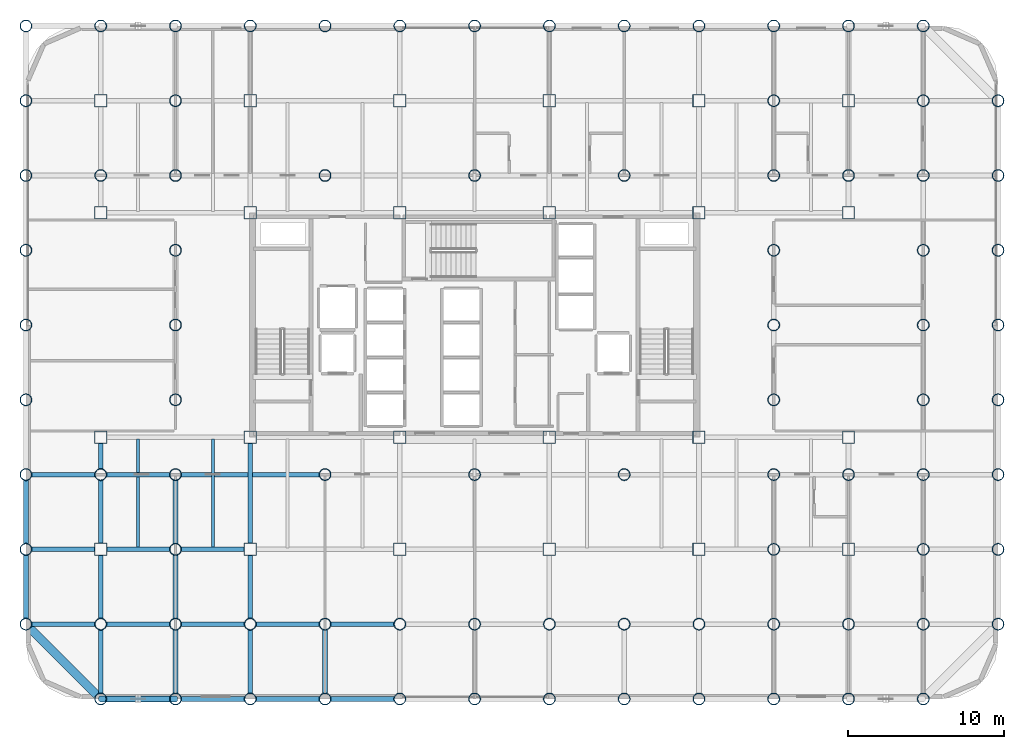
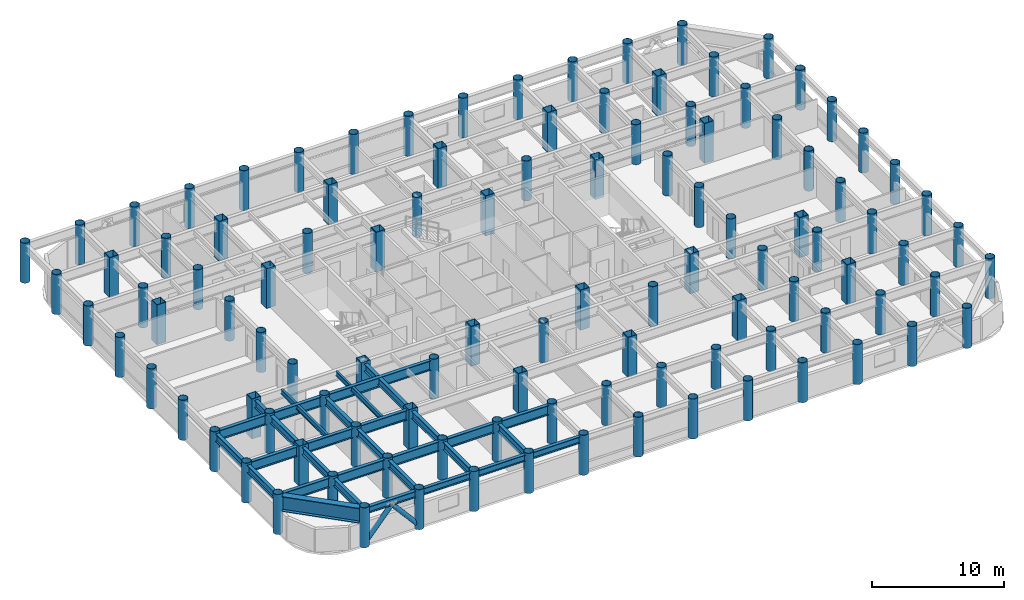
# One storey, part 1 of 19: 108 columns, 31 beams, 2 members.
"""IFC4 building model written with IfcOpenShell, lengths in metres."""

from ifc_helpers import new_model, si_unit, direction, frame, origin, origin_2d, place, context, subcontext, project, spatial, hollow_rectangle, hollow_circle, i_section, extrude, material, material_profile, profile_set, type_object, element, save


model = new_model("IFC4")

# Units and contexts
model_context = context("Model", 3, precision=1e-05, world=origin(), true_north=direction((0.0, 1.0)))
body_context = subcontext(model_context, "Body", "Model", "MODEL_VIEW")
ifc_project = project(units=[si_unit("LENGTHUNIT", "METRE"), si_unit("AREAUNIT", "SQUARE_METRE"), si_unit("VOLUMEUNIT", "CUBIC_METRE"), si_unit("PLANEANGLEUNIT", "RADIAN"), si_unit("MASSUNIT", "GRAM", prefix="KILO")], contexts=[model_context])

# Site, building, storey
site_placement = place(None, origin())
site = spatial("IfcSite", under=ifc_project, at=site_placement, CompositionType="ELEMENT")
building_placement = place(site_placement, origin())
building = spatial("IfcBuilding", under=site, at=building_placement, Name="Kallvorn Hotel Tower", CompositionType="ELEMENT")
storey_placement = place(building_placement, frame((0.0, 0.0, 63.300048828125)))
storey = spatial("IfcBuildingStorey", under=building, at=storey_placement, Name="L14", CompositionType="ELEMENT", Elevation=63.300048828125)

# Columns
ifc_material_1 = material(Name="Structural steel S355J2H", Category="steel")
ifc_material_profile_1 = material_profile(ifc_material_1, hollow_circle(Radius=0.381103515625, WallThickness=0.031982421875, at=origin_2d()), Name="CHS 762x32")
ifc_profile_set_1 = profile_set([ifc_material_profile_1], Name="Structural steel S355J2H")
column_type_1 = type_object("IfcColumnType", Name="COL_CHS_762", PredefinedType="COLUMN", material=ifc_profile_set_1)
for number, where, z_axis, x_axis, name in (
    (1, (-28.800048828125, -19.199951171875, 0.0), (0.0, 0.0, 1.0), (1.0, 0.0, 0.0), "L14 Exoskeleton Column EC01"),
    (2, (-28.800048828125, -14.39990234375, 0.0), (0.0, 0.0, 1.0), (1.0, 0.0, 0.0), "L14 Exoskeleton Column EC02"),
    (3, (-28.800048828125, -9.60009765625, 0.0), (0.0, 0.0, 1.0), (1.0, 0.0, 0.0), "L14 Exoskeleton Column EC03"),
    (4, (-28.800048828125, -4.800048828125, 0.0), (0.0, 0.0, 1.0), (1.0, 0.0, 0.0), "L14 Exoskeleton Column EC04"),
    (5, (-28.800048828125, 0.0, 0.0), (0.0, 0.0, 1.0), (1.0, 0.0, 0.0), "L14 Exoskeleton Column EC05"),
    (6, (-28.800048828125, 4.800048828125, 0.0), (0.0, 0.0, 1.0), (1.0, 0.0, 0.0), "L14 Exoskeleton Column EC06"),
    (7, (-28.800048828125, 9.60009765625, 0.0), (0.0, 0.0, 1.0), (1.0, 0.0, 0.0), "L14 Exoskeleton Column EC07"),
    (8, (-28.800048828125, 14.39990234375, 0.0), (0.0, 0.0, 1.0), (1.0, 0.0, 0.0), "L14 Exoskeleton Column EC08"),
    (9, (-28.800048828125, 19.199951171875, 0.0), (0.0, 0.0, 1.0), (1.0, 0.0, 0.0), "L14 Exoskeleton Column EC09"),
    (10, (-24.0, -24.0, 0.0), (0.0, 0.0, 1.0), (1.0, 0.0, 0.0), "L14 Exoskeleton Column EC10"),
    (11, (-24.0, -19.199951171875, 0.0), (0.0, 0.0, 1.0), (1.0, 0.0, 0.0), "L14 Exoskeleton Column EC11"),
    (12, (-24.0, -9.60009765625, 0.0), (0.0, 0.0, 1.0), (1.0, 0.0, 0.0), "L14 Exoskeleton Column EC12"),
    (13, (-24.0, 9.60009765625, 0.0), (0.0, 0.0, 1.0), (1.0, 0.0, 0.0), "L14 Exoskeleton Column EC13"),
    (14, (-24.0, 19.199951171875, 0.0), (0.0, 0.0, 1.0), (1.0, 0.0, 0.0), "L14 Exoskeleton Column EC14"),
    (15, (-19.199951171875, -24.0, 0.0), (0.0, 0.0, 1.0), (1.0, 0.0, 0.0), "L14 Exoskeleton Column EC15"),
    (16, (-19.199951171875, -19.199951171875, 0.0), (0.0, 0.0, 1.0), (1.0, 0.0, 0.0), "L14 Exoskeleton Column EC16"),
    (17, (-19.199951171875, -14.39990234375, 0.0), (0.0, 0.0, 1.0), (1.0, 0.0, 0.0), "L14 Exoskeleton Column EC17"),
    (18, (-19.199951171875, -9.60009765625, 0.0), (0.0, 0.0, 1.0), (1.0, 0.0, 0.0), "L14 Exoskeleton Column EC18"),
    (19, (-19.199951171875, -4.800048828125, 0.0), (0.0, 0.0, 1.0), (1.0, 0.0, 0.0), "L14 Exoskeleton Column EC19"),
    (20, (-19.199951171875, 0.0, 0.0), (0.0, 0.0, 1.0), (1.0, 0.0, 0.0), "L14 Exoskeleton Column EC20"),
    (21, (-19.199951171875, 4.800048828125, 0.0), (0.0, 0.0, 1.0), (1.0, 0.0, 0.0), "L14 Exoskeleton Column EC21"),
    (22, (-19.199951171875, 9.60009765625, 0.0), (0.0, 0.0, 1.0), (1.0, 0.0, 0.0), "L14 Exoskeleton Column EC22"),
    (23, (-19.199951171875, 14.39990234375, 0.0), (0.0, 0.0, 1.0), (1.0, 0.0, 0.0), "L14 Exoskeleton Column EC23"),
    (24, (-19.199951171875, 19.199951171875, 0.0), (0.0, 0.0, 1.0), (1.0, 0.0, 0.0), "L14 Exoskeleton Column EC24"),
    (25, (-14.39990234375, -24.0, 0.0), (0.0, 0.0, 1.0), (1.0, 0.0, 0.0), "L14 Exoskeleton Column EC25"),
    (26, (-14.39990234375, -19.199951171875, 0.0), (0.0, 0.0, 1.0), (1.0, 0.0, 0.0), "L14 Exoskeleton Column EC26"),
    (27, (-14.39990234375, 19.199951171875, 0.0), (0.0, 0.0, 1.0), (1.0, 0.0, 0.0), "L14 Exoskeleton Column EC27"),
    (28, (-9.60009765625, -24.0, 0.0), (0.0, 0.0, 1.0), (1.0, 0.0, 0.0), "L14 Exoskeleton Column EC28"),
    (29, (-9.60009765625, -19.199951171875, 0.0), (0.0, 0.0, 1.0), (1.0, 0.0, 0.0), "L14 Exoskeleton Column EC29"),
    (30, (-9.60009765625, -9.60009765625, 0.0), (0.0, 0.0, 1.0), (1.0, 0.0, 0.0), "L14 Exoskeleton Column EC30"),
    (31, (-9.60009765625, 9.60009765625, 0.0), (0.0, 0.0, 1.0), (1.0, 0.0, 0.0), "L14 Exoskeleton Column EC31"),
    (32, (-9.60009765625, 19.199951171875, 0.0), (0.0, 0.0, 1.0), (1.0, 0.0, 0.0), "L14 Exoskeleton Column EC32"),
    (33, (-4.800048828125, -24.0, 0.0), (0.0, 0.0, 1.0), (1.0, 0.0, 0.0), "L14 Exoskeleton Column EC33"),
    (34, (-4.800048828125, -19.199951171875, 0.0), (0.0, 0.0, 1.0), (1.0, 0.0, 0.0), "L14 Exoskeleton Column EC34"),
    (35, (-4.800048828125, 19.199951171875, 0.0), (0.0, 0.0, 1.0), (1.0, 0.0, 0.0), "L14 Exoskeleton Column EC35"),
    (36, (0.0, -24.0, 0.0), (0.0, 0.0, 1.0), (1.0, 0.0, 0.0), "L14 Exoskeleton Column EC36"),
    (37, (0.0, -19.199951171875, 0.0), (0.0, 0.0, 1.0), (1.0, 0.0, 0.0), "L14 Exoskeleton Column EC37"),
    (38, (0.0, -9.60009765625, 0.0), (0.0, 0.0, 1.0), (1.0, 0.0, 0.0), "L14 Exoskeleton Column EC38"),
    (39, (0.0, 9.60009765625, 0.0), (0.0, 0.0, 1.0), (1.0, 0.0, 0.0), "L14 Exoskeleton Column EC39"),
    (40, (0.0, 19.199951171875, 0.0), (0.0, 0.0, 1.0), (1.0, 0.0, 0.0), "L14 Exoskeleton Column EC40"),
    (41, (4.800048828125, -24.0, 0.0), (0.0, 0.0, 1.0), (1.0, 0.0, 0.0), "L14 Exoskeleton Column EC41"),
    (42, (4.800048828125, -19.199951171875, 0.0), (0.0, 0.0, 1.0), (1.0, 0.0, 0.0), "L14 Exoskeleton Column EC42"),
    (43, (4.800048828125, 19.199951171875, 0.0), (0.0, 0.0, 1.0), (1.0, 0.0, 0.0), "L14 Exoskeleton Column EC43"),
    (44, (9.60009765625, -24.0, 0.0), (0.0, 0.0, 1.0), (1.0, 0.0, 0.0), "L14 Exoskeleton Column EC44"),
    (45, (9.60009765625, -19.199951171875, 0.0), (0.0, 0.0, 1.0), (1.0, 0.0, 0.0), "L14 Exoskeleton Column EC45"),
    (46, (9.60009765625, -9.60009765625, 0.0), (0.0, 0.0, 1.0), (1.0, 0.0, 0.0), "L14 Exoskeleton Column EC46"),
    (47, (9.60009765625, 9.60009765625, 0.0), (0.0, 0.0, 1.0), (1.0, 0.0, 0.0), "L14 Exoskeleton Column EC47"),
    (48, (9.60009765625, 19.199951171875, 0.0), (0.0, 0.0, 1.0), (1.0, 0.0, 0.0), "L14 Exoskeleton Column EC48"),
    (49, (14.39990234375, -24.0, 0.0), (0.0, 0.0, 1.0), (1.0, 0.0, 0.0), "L14 Exoskeleton Column EC49"),
    (50, (14.39990234375, -19.199951171875, 0.0), (0.0, 0.0, 1.0), (1.0, 0.0, 0.0), "L14 Exoskeleton Column EC50"),
    (51, (14.39990234375, 19.199951171875, 0.0), (0.0, 0.0, 1.0), (1.0, 0.0, 0.0), "L14 Exoskeleton Column EC51"),
    (52, (19.199951171875, -24.0, 0.0), (0.0, 0.0, 1.0), (1.0, 0.0, 0.0), "L14 Exoskeleton Column EC52"),
    (53, (19.199951171875, -19.199951171875, 0.0), (0.0, 0.0, 1.0), (1.0, 0.0, 0.0), "L14 Exoskeleton Column EC53"),
    (54, (19.199951171875, -14.39990234375, 0.0), (0.0, 0.0, 1.0), (1.0, 0.0, 0.0), "L14 Exoskeleton Column EC54"),
    (55, (19.199951171875, -9.60009765625, 0.0), (0.0, 0.0, 1.0), (1.0, 0.0, 0.0), "L14 Exoskeleton Column EC55"),
    (56, (19.199951171875, -4.800048828125, 0.0), (0.0, 0.0, 1.0), (1.0, 0.0, 0.0), "L14 Exoskeleton Column EC56"),
    (57, (19.199951171875, 0.0, 0.0), (0.0, 0.0, 1.0), (1.0, 0.0, 0.0), "L14 Exoskeleton Column EC57"),
    (58, (19.199951171875, 4.800048828125, 0.0), (0.0, 0.0, 1.0), (1.0, 0.0, 0.0), "L14 Exoskeleton Column EC58"),
    (59, (19.199951171875, 9.60009765625, 0.0), (0.0, 0.0, 1.0), (1.0, 0.0, 0.0), "L14 Exoskeleton Column EC59"),
    (60, (19.199951171875, 14.39990234375, 0.0), (0.0, 0.0, 1.0), (1.0, 0.0, 0.0), "L14 Exoskeleton Column EC60"),
    (61, (19.199951171875, 19.199951171875, 0.0), (0.0, 0.0, 1.0), (1.0, 0.0, 0.0), "L14 Exoskeleton Column EC61"),
    (62, (24.0, -24.0, 0.0), (0.0, 0.0, 1.0), (1.0, 0.0, 0.0), "L14 Exoskeleton Column EC62"),
    (63, (24.0, -19.199951171875, 0.0), (0.0, 0.0, 1.0), (1.0, 0.0, 0.0), "L14 Exoskeleton Column EC63"),
    (64, (24.0, -9.60009765625, 0.0), (0.0, 0.0, 1.0), (1.0, 0.0, 0.0), "L14 Exoskeleton Column EC64"),
    (65, (24.0, 9.60009765625, 0.0), (0.0, 0.0, 1.0), (1.0, 0.0, 0.0), "L14 Exoskeleton Column EC65"),
    (66, (24.0, 19.199951171875, 0.0), (0.0, 0.0, 1.0), (1.0, 0.0, 0.0), "L14 Exoskeleton Column EC66"),
    (67, (28.800048828125, -24.0, 0.0), (0.0, 0.0, 1.0), (1.0, 0.0, 0.0), "L14 Exoskeleton Column EC67"),
    (68, (28.800048828125, -19.199951171875, 0.0), (0.0, 0.0, 1.0), (1.0, 0.0, 0.0), "L14 Exoskeleton Column EC68"),
    (69, (28.800048828125, -14.39990234375, 0.0), (0.0, 0.0, 1.0), (1.0, 0.0, 0.0), "L14 Exoskeleton Column EC69"),
    (70, (28.800048828125, -9.60009765625, 0.0), (0.0, 0.0, 1.0), (1.0, 0.0, 0.0), "L14 Exoskeleton Column EC70"),
    (71, (28.800048828125, -4.800048828125, 0.0), (0.0, 0.0, 1.0), (1.0, 0.0, 0.0), "L14 Exoskeleton Column EC71"),
    (72, (28.800048828125, 0.0, 0.0), (0.0, 0.0, 1.0), (1.0, 0.0, 0.0), "L14 Exoskeleton Column EC72"),
    (73, (28.800048828125, 4.800048828125, 0.0), (0.0, 0.0, 1.0), (1.0, 0.0, 0.0), "L14 Exoskeleton Column EC73"),
    (74, (28.800048828125, 9.60009765625, 0.0), (0.0, 0.0, 1.0), (1.0, 0.0, 0.0), "L14 Exoskeleton Column EC74"),
    (75, (28.800048828125, 14.39990234375, 0.0), (0.0, 0.0, 1.0), (1.0, 0.0, 0.0), "L14 Exoskeleton Column EC75"),
    (76, (28.800048828125, 19.199951171875, 0.0), (0.0, 0.0, 1.0), (1.0, 0.0, 0.0), "L14 Exoskeleton Column EC76"),
    (77, (33.60009765625, -19.199951171875, 0.0), (0.0, 0.0, 1.0), (1.0, 0.0, 0.0), "L14 Exoskeleton Column EC77"),
    (78, (33.60009765625, -14.39990234375, 0.0), (0.0, 0.0, 1.0), (1.0, 0.0, 0.0), "L14 Exoskeleton Column EC78"),
    (79, (33.60009765625, -9.60009765625, 0.0), (0.0, 0.0, 1.0), (1.0, 0.0, 0.0), "L14 Exoskeleton Column EC79"),
    (80, (33.60009765625, -4.800048828125, 0.0), (0.0, 0.0, 1.0), (1.0, 0.0, 0.0), "L14 Exoskeleton Column EC80"),
    (81, (33.60009765625, 0.0, 0.0), (0.0, 0.0, 1.0), (1.0, 0.0, 0.0), "L14 Exoskeleton Column EC81"),
    (82, (33.60009765625, 4.800048828125, 0.0), (0.0, 0.0, 1.0), (1.0, 0.0, 0.0), "L14 Exoskeleton Column EC82"),
    (83, (33.60009765625, 9.60009765625, 0.0), (0.0, 0.0, 1.0), (1.0, 0.0, 0.0), "L14 Exoskeleton Column EC83"),
    (84, (33.60009765625, 14.39990234375, 0.0), (0.0, 0.0, 1.0), (1.0, 0.0, 0.0), "L14 Exoskeleton Column EC84"),
):
    element("IfcColumn", number, at=place(storey_placement, frame(where, z_axis=z_axis, x_axis=x_axis)), inside=storey, type_object=column_type_1, Name=name, PredefinedType="COLUMN", context=body_context, shape_type="SweptSolid", body=[
        extrude(hollow_circle(Radius=0.381103515625, WallThickness=0.031982421875, at=origin_2d()), origin(), (0.0, 0.0, 1.0), 3.699951171875),
    ])
ifc_material_2 = material(Name="Structural steel S355J2H", Category="steel")
ifc_material_profile_2 = material_profile(ifc_material_2, hollow_rectangle(XDim=0.800048828125, YDim=0.800048828125, WallThickness=0.035888671875, at=origin_2d()), Name="RHS 800x800x36")
ifc_profile_set_2 = profile_set([ifc_material_profile_2], Name="Structural steel S355J2H")
column_type_2 = type_object("IfcColumnType", Name="COL_RHS_800", PredefinedType="COLUMN", material=ifc_profile_set_2)
for number, where, z_axis, x_axis, name in (
    (85, (-24.0, -14.39990234375, 0.0), (0.0, 0.0, 1.0), (1.0, 0.0, 0.0), "L14 Inner Column IC01"),
    (86, (-24.0, -7.199951171875, 0.0), (0.0, 0.0, 1.0), (1.0, 0.0, 0.0), "L14 Inner Column IC02"),
    (87, (-24.0, 7.199951171875, 0.0), (0.0, 0.0, 1.0), (1.0, 0.0, 0.0), "L14 Inner Column IC03"),
    (88, (-24.0, 14.39990234375, 0.0), (0.0, 0.0, 1.0), (1.0, 0.0, 0.0), "L14 Inner Column IC04"),
    (89, (-14.39990234375, -14.39990234375, 0.0), (0.0, 0.0, 1.0), (1.0, 0.0, 0.0), "L14 Inner Column IC05"),
    (90, (-14.39990234375, -7.199951171875, 0.0), (0.0, 0.0, 1.0), (1.0, 0.0, 0.0), "L14 Inner Column IC06"),
    (91, (-14.39990234375, 7.199951171875, 0.0), (0.0, 0.0, 1.0), (1.0, 0.0, 0.0), "L14 Inner Column IC07"),
    (92, (-14.39990234375, 14.39990234375, 0.0), (0.0, 0.0, 1.0), (1.0, 0.0, 0.0), "L14 Inner Column IC08"),
    (93, (-4.800048828125, -14.39990234375, 0.0), (0.0, 0.0, 1.0), (1.0, 0.0, 0.0), "L14 Inner Column IC09"),
    (94, (-4.800048828125, -7.199951171875, 0.0), (0.0, 0.0, 1.0), (1.0, 0.0, 0.0), "L14 Inner Column IC10"),
    (95, (-4.800048828125, 7.199951171875, 0.0), (0.0, 0.0, 1.0), (1.0, 0.0, 0.0), "L14 Inner Column IC11"),
    (96, (-4.800048828125, 14.39990234375, 0.0), (0.0, 0.0, 1.0), (1.0, 0.0, 0.0), "L14 Inner Column IC12"),
    (97, (4.800048828125, -14.39990234375, 0.0), (0.0, 0.0, 1.0), (1.0, 0.0, 0.0), "L14 Inner Column IC13"),
    (98, (4.800048828125, -7.199951171875, 0.0), (0.0, 0.0, 1.0), (1.0, 0.0, 0.0), "L14 Inner Column IC14"),
    (99, (4.800048828125, 7.199951171875, 0.0), (0.0, 0.0, 1.0), (1.0, 0.0, 0.0), "L14 Inner Column IC15"),
    (100, (4.800048828125, 14.39990234375, 0.0), (0.0, 0.0, 1.0), (1.0, 0.0, 0.0), "L14 Inner Column IC16"),
    (101, (14.39990234375, -14.39990234375, 0.0), (0.0, 0.0, 1.0), (1.0, 0.0, 0.0), "L14 Inner Column IC17"),
    (102, (14.39990234375, -7.199951171875, 0.0), (0.0, 0.0, 1.0), (1.0, 0.0, 0.0), "L14 Inner Column IC18"),
    (103, (14.39990234375, 7.199951171875, 0.0), (0.0, 0.0, 1.0), (1.0, 0.0, 0.0), "L14 Inner Column IC19"),
    (104, (14.39990234375, 14.39990234375, 0.0), (0.0, 0.0, 1.0), (1.0, 0.0, 0.0), "L14 Inner Column IC20"),
    (105, (24.0, -14.39990234375, 0.0), (0.0, 0.0, 1.0), (1.0, 0.0, 0.0), "L14 Inner Column IC21"),
    (106, (24.0, -7.199951171875, 0.0), (0.0, 0.0, 1.0), (1.0, 0.0, 0.0), "L14 Inner Column IC22"),
    (107, (24.0, 7.199951171875, 0.0), (0.0, 0.0, 1.0), (1.0, 0.0, 0.0), "L14 Inner Column IC23"),
    (108, (24.0, 14.39990234375, 0.0), (0.0, 0.0, 1.0), (1.0, 0.0, 0.0), "L14 Inner Column IC24"),
):
    element("IfcColumn", number, at=place(storey_placement, frame(where, z_axis=z_axis, x_axis=x_axis)), inside=storey, type_object=column_type_2, Name=name, PredefinedType="COLUMN", context=body_context, shape_type="SweptSolid", body=[
        extrude(hollow_rectangle(XDim=0.800048828125, YDim=0.800048828125, WallThickness=0.035888671875, at=origin_2d()), origin(), (0.0, 0.0, 1.0), 3.699951171875),
    ])

# Beams
ifc_material_3 = material(Name="Structural steel S355JR", Category="steel")
ifc_material_profile_3 = material_profile(ifc_material_3, i_section(OverallWidth=0.300048828125, OverallDepth=0.60009765625, WebThickness=0.015380859375, FlangeThickness=0.030029296875, at=origin_2d()), Name="HE 600 B")
ifc_profile_set_3 = profile_set([ifc_material_profile_3], Name="Structural steel S355JR")
beam_type_1 = type_object("IfcBeamType", Name="BM_HE600B", PredefinedType="SPANDREL", material=ifc_profile_set_3)
beam_1_placement = place(storey_placement, frame((-23.62890625, -24.0, 3.219970703125), z_axis=(1.0, 0.0, 0.0), x_axis=(0.0, 1.0, 0.0)))
element("IfcBeam", 109, at=beam_1_placement, inside=storey, type_object=beam_type_1, Name="L15 Perimeter Spandrel 151", PredefinedType="SPANDREL", context=body_context, shape_type="SweptSolid", body=[
    extrude(i_section(OverallWidth=0.300048828125, OverallDepth=0.60009765625, WebThickness=0.015380859375, FlangeThickness=0.030029296875, at=origin_2d()), origin(), (0.0, 0.0, 1.0), 4.057861328125),
])
for number, where, z_axis, x_axis, name in (
    (110, (-18.8291015625, -24.0, 3.219970703125), (1.0, 0.0, 0.0), (0.0, 1.0, 0.0), "L15 Perimeter Spandrel 152"),
    (111, (-14.029052734375, -24.0, 3.219970703125), (1.0, 0.0, 0.0), (0.0, 1.0, 0.0), "L15 Perimeter Spandrel 153"),
    (112, (-9.22900390625, -24.0, 3.219970703125), (1.0, 0.0, 0.0), (0.0, 1.0, 0.0), "L15 Perimeter Spandrel 154"),
):
    element("IfcBeam", number, at=place(storey_placement, frame(where, z_axis=z_axis, x_axis=x_axis)), inside=storey, type_object=beam_type_1, Name=name, PredefinedType="SPANDREL", context=body_context, shape_type="SweptSolid", body=[
        extrude(i_section(OverallWidth=0.300048828125, OverallDepth=0.60009765625, WebThickness=0.015380859375, FlangeThickness=0.030029296875, at=origin_2d()), origin(), (0.0, 0.0, 1.0), 4.05810546875),
    ])
ifc_material_4 = material(Name="Structural steel S355JR", Category="steel")
ifc_material_profile_4 = material_profile(ifc_material_4, i_section(OverallWidth=0.300048828125, OverallDepth=0.699951171875, WebThickness=0.01708984375, FlangeThickness=0.031982421875, at=origin_2d()), Name="HE 700 B")
ifc_profile_set_4 = profile_set([ifc_material_profile_4], Name="Structural steel S355JR")
beam_type_2 = type_object("IfcBeamType", Name="BM_HE700B", PredefinedType="BEAM", material=ifc_profile_set_4)
for number, where, z_axis, x_axis, name in (
    (113, (-28.800048828125, -18.843994140625, 3.169921875), (0.0, 1.0, 0.0), (-1.0, 0.0, 0.0), "L15 Primary Y-Girder 73"),
    (114, (-28.800048828125, -14.0439453125, 3.169921875), (0.0, 1.0, 0.0), (-1.0, 0.0, 0.0), "L15 Primary Y-Girder 74"),
):
    element("IfcBeam", number, at=place(storey_placement, frame(where, z_axis=z_axis, x_axis=x_axis)), inside=storey, type_object=beam_type_2, Name=name, PredefinedType="BEAM", context=body_context, shape_type="SweptSolid", body=[
        extrude(i_section(OverallWidth=0.300048828125, OverallDepth=0.699951171875, WebThickness=0.01708984375, FlangeThickness=0.031982421875, at=origin_2d()), origin(), (0.0, 0.0, 1.0), 4.087890625),
    ])
beam_2_placement = place(storey_placement, frame((-24.0, -23.64404296875, 3.169921875), z_axis=(0.0, 1.0, 0.0), x_axis=(-1.0, 0.0, 0.0)))
element("IfcBeam", 115, at=beam_2_placement, inside=storey, type_object=beam_type_2, Name="L15 Primary Y-Girder 81", PredefinedType="BEAM", context=body_context, shape_type="SweptSolid", body=[
    extrude(i_section(OverallWidth=0.300048828125, OverallDepth=0.699951171875, WebThickness=0.01708984375, FlangeThickness=0.031982421875, at=origin_2d()), origin(), (0.0, 0.0, 1.0), 4.088134765625),
])
beam_3_placement = place(storey_placement, frame((-24.0, -18.843994140625, 3.169921875), z_axis=(0.0, 1.0, 0.0), x_axis=(-1.0, 0.0, 0.0)))
element("IfcBeam", 116, at=beam_3_placement, inside=storey, type_object=beam_type_2, Name="L15 Primary Y-Girder 82", PredefinedType="BEAM", context=body_context, shape_type="SweptSolid", body=[
    extrude(i_section(OverallWidth=0.300048828125, OverallDepth=0.699951171875, WebThickness=0.01708984375, FlangeThickness=0.031982421875, at=origin_2d()), origin(), (0.0, 0.0, 1.0), 4.069091796875),
])
beam_4_placement = place(storey_placement, frame((-24.0, -14.02490234375, 3.169921875), z_axis=(0.0, 1.0, 0.0), x_axis=(-1.0, 0.0, 0.0)))
element("IfcBeam", 117, at=beam_4_placement, inside=storey, type_object=beam_type_2, Name="L15 Primary Y-Girder 83", PredefinedType="BEAM", context=body_context, shape_type="SweptSolid", body=[
    extrude(i_section(OverallWidth=0.300048828125, OverallDepth=0.699951171875, WebThickness=0.01708984375, FlangeThickness=0.031982421875, at=origin_2d()), origin(), (0.0, 0.0, 1.0), 4.06884765625),
])
beam_5_placement = place(storey_placement, frame((-24.0, -9.243896484375, 3.169921875), z_axis=(0.0, 1.0, 0.0), x_axis=(-1.0, 0.0, 0.0)))
element("IfcBeam", 118, at=beam_5_placement, inside=storey, type_object=beam_type_2, Name="L15 Primary Y-Girder 84", PredefinedType="BEAM", context=body_context, shape_type="SweptSolid", body=[
    extrude(i_section(OverallWidth=0.300048828125, OverallDepth=0.699951171875, WebThickness=0.01708984375, FlangeThickness=0.031982421875, at=origin_2d()), origin(), (0.0, 0.0, 1.0), 1.6689453125),
])
beam_6_placement = place(storey_placement, frame((-19.199951171875, -23.64404296875, 3.169921875), z_axis=(0.0, 1.0, 0.0), x_axis=(-1.0, 0.0, 0.0)))
element("IfcBeam", 119, at=beam_6_placement, inside=storey, type_object=beam_type_2, Name="L15 Primary Y-Girder 88", PredefinedType="BEAM", context=body_context, shape_type="SweptSolid", body=[
    extrude(i_section(OverallWidth=0.300048828125, OverallDepth=0.699951171875, WebThickness=0.01708984375, FlangeThickness=0.031982421875, at=origin_2d()), origin(), (0.0, 0.0, 1.0), 4.088134765625),
])
for number, where, z_axis, x_axis, name in (
    (120, (-19.199951171875, -18.843994140625, 3.169921875), (0.0, 1.0, 0.0), (-1.0, 0.0, 0.0), "L15 Primary Y-Girder 89"),
    (121, (-19.199951171875, -14.0439453125, 3.169921875), (0.0, 1.0, 0.0), (-1.0, 0.0, 0.0), "L15 Primary Y-Girder 90"),
):
    element("IfcBeam", number, at=place(storey_placement, frame(where, z_axis=z_axis, x_axis=x_axis)), inside=storey, type_object=beam_type_2, Name=name, PredefinedType="BEAM", context=body_context, shape_type="SweptSolid", body=[
        extrude(i_section(OverallWidth=0.300048828125, OverallDepth=0.699951171875, WebThickness=0.01708984375, FlangeThickness=0.031982421875, at=origin_2d()), origin(), (0.0, 0.0, 1.0), 4.087890625),
    ])
beam_7_placement = place(storey_placement, frame((-14.39990234375, -23.64404296875, 3.169921875), z_axis=(0.0, 1.0, 0.0), x_axis=(-1.0, 0.0, 0.0)))
element("IfcBeam", 122, at=beam_7_placement, inside=storey, type_object=beam_type_2, Name="L15 Primary Y-Girder 97", PredefinedType="BEAM", context=body_context, shape_type="SweptSolid", body=[
    extrude(i_section(OverallWidth=0.300048828125, OverallDepth=0.699951171875, WebThickness=0.01708984375, FlangeThickness=0.031982421875, at=origin_2d()), origin(), (0.0, 0.0, 1.0), 4.088134765625),
])
beam_8_placement = place(storey_placement, frame((-14.39990234375, -18.843994140625, 3.169921875), z_axis=(0.0, 1.0, 0.0), x_axis=(-1.0, 0.0, 0.0)))
element("IfcBeam", 123, at=beam_8_placement, inside=storey, type_object=beam_type_2, Name="L15 Primary Y-Girder 98", PredefinedType="BEAM", context=body_context, shape_type="SweptSolid", body=[
    extrude(i_section(OverallWidth=0.300048828125, OverallDepth=0.699951171875, WebThickness=0.01708984375, FlangeThickness=0.031982421875, at=origin_2d()), origin(), (0.0, 0.0, 1.0), 4.069091796875),
])
beam_9_placement = place(storey_placement, frame((-14.39990234375, -14.02490234375, 3.169921875), z_axis=(0.0, 1.0, 0.0), x_axis=(-1.0, 0.0, 0.0)))
element("IfcBeam", 124, at=beam_9_placement, inside=storey, type_object=beam_type_2, Name="L15 Primary Y-Girder 99", PredefinedType="BEAM", context=body_context, shape_type="SweptSolid", body=[
    extrude(i_section(OverallWidth=0.300048828125, OverallDepth=0.699951171875, WebThickness=0.01708984375, FlangeThickness=0.031982421875, at=origin_2d()), origin(), (0.0, 0.0, 1.0), 6.449951171875),
])
beam_10_placement = place(storey_placement, frame((-9.60009765625, -23.64404296875, 3.169921875), z_axis=(0.0, 1.0, 0.0), x_axis=(-1.0, 0.0, 0.0)))
element("IfcBeam", 125, at=beam_10_placement, inside=storey, type_object=beam_type_2, Name="L15 Primary Y-Girder 102", PredefinedType="BEAM", context=body_context, shape_type="SweptSolid", body=[
    extrude(i_section(OverallWidth=0.300048828125, OverallDepth=0.699951171875, WebThickness=0.01708984375, FlangeThickness=0.031982421875, at=origin_2d()), origin(), (0.0, 0.0, 1.0), 4.088134765625),
])
ifc_material_5 = material(Name="Structural steel S355JR", Category="steel")
ifc_material_profile_5 = material_profile(ifc_material_5, i_section(OverallWidth=0.300048828125, OverallDepth=0.89990234375, WebThickness=0.0185546875, FlangeThickness=0.034912109375, at=origin_2d()), Name="HE 900 B")
ifc_profile_set_5 = profile_set([ifc_material_profile_5], Name="Structural steel S355JR")
beam_type_3 = type_object("IfcBeamType", Name="BM_HE900B", PredefinedType="BEAM", material=ifc_profile_set_5)
for number, where, z_axis, x_axis, name in (
    (126, (-28.444091796875, -19.199951171875, 3.070068359375), (1.0, 0.0, 0.0), (0.0, 1.0, 0.0), "L15 Primary X-Girder 01"),
    (127, (-23.64404296875, -19.199951171875, 3.070068359375), (1.0, 0.0, 0.0), (0.0, 1.0, 0.0), "L15 Primary X-Girder 02"),
):
    element("IfcBeam", number, at=place(storey_placement, frame(where, z_axis=z_axis, x_axis=x_axis)), inside=storey, type_object=beam_type_3, Name=name, PredefinedType="BEAM", context=body_context, shape_type="SweptSolid", body=[
        extrude(i_section(OverallWidth=0.300048828125, OverallDepth=0.89990234375, WebThickness=0.0185546875, FlangeThickness=0.034912109375, at=origin_2d()), origin(), (0.0, 0.0, 1.0), 4.088134765625),
    ])
for number, where, z_axis, x_axis, name in (
    (128, (-18.843994140625, -19.199951171875, 3.070068359375), (1.0, 0.0, 0.0), (0.0, 1.0, 0.0), "L15 Primary X-Girder 03"),
    (129, (-14.0439453125, -19.199951171875, 3.070068359375), (1.0, 0.0, 0.0), (0.0, 1.0, 0.0), "L15 Primary X-Girder 04"),
    (130, (-9.243896484375, -19.199951171875, 3.070068359375), (1.0, 0.0, 0.0), (0.0, 1.0, 0.0), "L15 Primary X-Girder 05"),
):
    element("IfcBeam", number, at=place(storey_placement, frame(where, z_axis=z_axis, x_axis=x_axis)), inside=storey, type_object=beam_type_3, Name=name, PredefinedType="BEAM", context=body_context, shape_type="SweptSolid", body=[
        extrude(i_section(OverallWidth=0.300048828125, OverallDepth=0.89990234375, WebThickness=0.0185546875, FlangeThickness=0.034912109375, at=origin_2d()), origin(), (0.0, 0.0, 1.0), 4.087890625),
    ])
for number, where, z_axis, x_axis, name in (
    (131, (-28.444091796875, -14.39990234375, 3.070068359375), (1.0, 0.0, 0.0), (0.0, 1.0, 0.0), "L15 Primary X-Girder 14"),
    (132, (-23.625, -14.39990234375, 3.070068359375), (1.0, 0.0, 0.0), (0.0, 1.0, 0.0), "L15 Primary X-Girder 15"),
    (133, (-18.843994140625, -14.39990234375, 3.070068359375), (1.0, 0.0, 0.0), (0.0, 1.0, 0.0), "L15 Primary X-Girder 16"),
):
    element("IfcBeam", number, at=place(storey_placement, frame(where, z_axis=z_axis, x_axis=x_axis)), inside=storey, type_object=beam_type_3, Name=name, PredefinedType="BEAM", context=body_context, shape_type="SweptSolid", body=[
        extrude(i_section(OverallWidth=0.300048828125, OverallDepth=0.89990234375, WebThickness=0.0185546875, FlangeThickness=0.034912109375, at=origin_2d()), origin(), (0.0, 0.0, 1.0), 4.069091796875),
    ])
for number, where, z_axis, x_axis, name in (
    (134, (-28.444091796875, -9.60009765625, 3.070068359375), (1.0, 0.0, 0.0), (0.0, 1.0, 0.0), "L15 Primary X-Girder 24"),
    (135, (-23.64404296875, -9.60009765625, 3.070068359375), (1.0, 0.0, 0.0), (0.0, 1.0, 0.0), "L15 Primary X-Girder 25"),
):
    element("IfcBeam", number, at=place(storey_placement, frame(where, z_axis=z_axis, x_axis=x_axis)), inside=storey, type_object=beam_type_3, Name=name, PredefinedType="BEAM", context=body_context, shape_type="SweptSolid", body=[
        extrude(i_section(OverallWidth=0.300048828125, OverallDepth=0.89990234375, WebThickness=0.0185546875, FlangeThickness=0.034912109375, at=origin_2d()), origin(), (0.0, 0.0, 1.0), 4.088134765625),
    ])
beam_11_placement = place(storey_placement, frame((-18.843994140625, -9.60009765625, 3.070068359375), z_axis=(1.0, 0.0, 0.0), x_axis=(0.0, 1.0, 0.0)))
element("IfcBeam", 136, at=beam_11_placement, inside=storey, type_object=beam_type_3, Name="L15 Primary X-Girder 26", PredefinedType="BEAM", context=body_context, shape_type="SweptSolid", body=[
    extrude(i_section(OverallWidth=0.300048828125, OverallDepth=0.89990234375, WebThickness=0.0185546875, FlangeThickness=0.034912109375, at=origin_2d()), origin(), (0.0, 0.0, 1.0), 8.887939453125),
])
ifc_material_6 = material(Name="Structural steel S355JR", Category="steel")
ifc_material_profile_6 = material_profile(ifc_material_6, i_section(OverallWidth=0.18994140625, OverallDepth=0.449951171875, WebThickness=0.009521484375, FlangeThickness=0.0146484375, at=origin_2d()), Name="IPE 450")
ifc_profile_set_6 = profile_set([ifc_material_profile_6], Name="Structural steel S355JR")
beam_type_4 = type_object("IfcBeamType", Name="BM_IPE450", PredefinedType="JOIST", material=ifc_profile_set_6)
for number, where, z_axis, x_axis, name in (
    (137, (-21.60009765625, -14.300048828125, 3.294921875), (0.0, 1.0, 0.0), (-1.0, 0.0, 0.0), "L15 Secondary Composite Joist 192"),
    (138, (-16.800048828125, -14.300048828125, 3.294921875), (0.0, 1.0, 0.0), (-1.0, 0.0, 0.0), "L15 Secondary Composite Joist 194"),
):
    element("IfcBeam", number, at=place(storey_placement, frame(where, z_axis=z_axis, x_axis=x_axis)), inside=storey, type_object=beam_type_4, Name=name, PredefinedType="JOIST", context=body_context, shape_type="SweptSolid", body=[
        extrude(i_section(OverallWidth=0.18994140625, OverallDepth=0.449951171875, WebThickness=0.009521484375, FlangeThickness=0.0146484375, at=origin_2d()), origin(), (0.0, 0.0, 1.0), 7.0),
    ])
ifc_material_7 = material(Name="Structural steel S355JR", Category="steel")
ifc_material_profile_7 = material_profile(ifc_material_7, i_section(OverallWidth=0.550048828125, OverallDepth=1.39990234375, WebThickness=0.02490234375, FlangeThickness=0.044921875, at=origin_2d()), Name="PG 1400x550x25x45")
ifc_profile_set_7 = profile_set([ifc_material_profile_7], Name="Structural steel S355JR")
beam_type_5 = type_object("IfcBeamType", Name="BM_PG_1400", PredefinedType="BEAM", material=ifc_profile_set_7)
beam_12_placement = place(storey_placement, frame((-28.53759765625, -19.46240234375, 2.820068359375), z_axis=(0.707106781187, -0.707106781187, 0.0), x_axis=(0.707106781187, 0.707106781187, 0.0)))
element("IfcBeam", 139, at=beam_12_placement, inside=storey, type_object=beam_type_5, Name="L15 Rounded Corner Tie Beam 189", PredefinedType="BEAM", context=body_context, shape_type="SweptSolid", body=[
    extrude(i_section(OverallWidth=0.550048828125, OverallDepth=1.39990234375, WebThickness=0.02490234375, FlangeThickness=0.044921875, at=origin_2d()), origin(), (0.0, 0.0, 1.0), 6.04638671875),
])

# Members
ifc_material_8 = material(Name="Structural steel S355J2H", Category="steel")
ifc_material_profile_8 = material_profile(ifc_material_8, hollow_circle(Radius=0.203125, WallThickness=0.01611328125, at=origin_2d()), Name="CHS 406.4x16")
ifc_profile_set_8 = profile_set([ifc_material_profile_8], Name="Structural steel S355J2H")
member_type = type_object("IfcMemberType", Name="MBR_EXO_CHS406", PredefinedType="BRACE", material=ifc_profile_set_8)
for number, where, z_axis, x_axis, name in (
    (140, (-23.98681640625, -24.0, 0.195068359375), (0.65346062529, 0.0, 0.756960508346), (0.0, 1.0, 0.0), "L14 Exoskeleton K-Brace S1A"),
    (141, (-19.213134765625, -24.0, 0.195068359375), (-0.65346062529, 0.0, 0.756960508346), (0.0, -1.0, 0.0), "L14 Exoskeleton K-Brace S1B"),
):
    element("IfcMember", number, at=place(storey_placement, frame(where, z_axis=z_axis, x_axis=x_axis)), inside=storey, type_object=member_type, Name=name, PredefinedType="BRACE", context=body_context, shape_type="SweptSolid", body=[
        extrude(hollow_circle(Radius=0.203125, WallThickness=0.01611328125, at=origin_2d()), origin(), (0.0, 0.0, 1.0), 3.632568359375),
    ])

save(model, "model.ifc")
